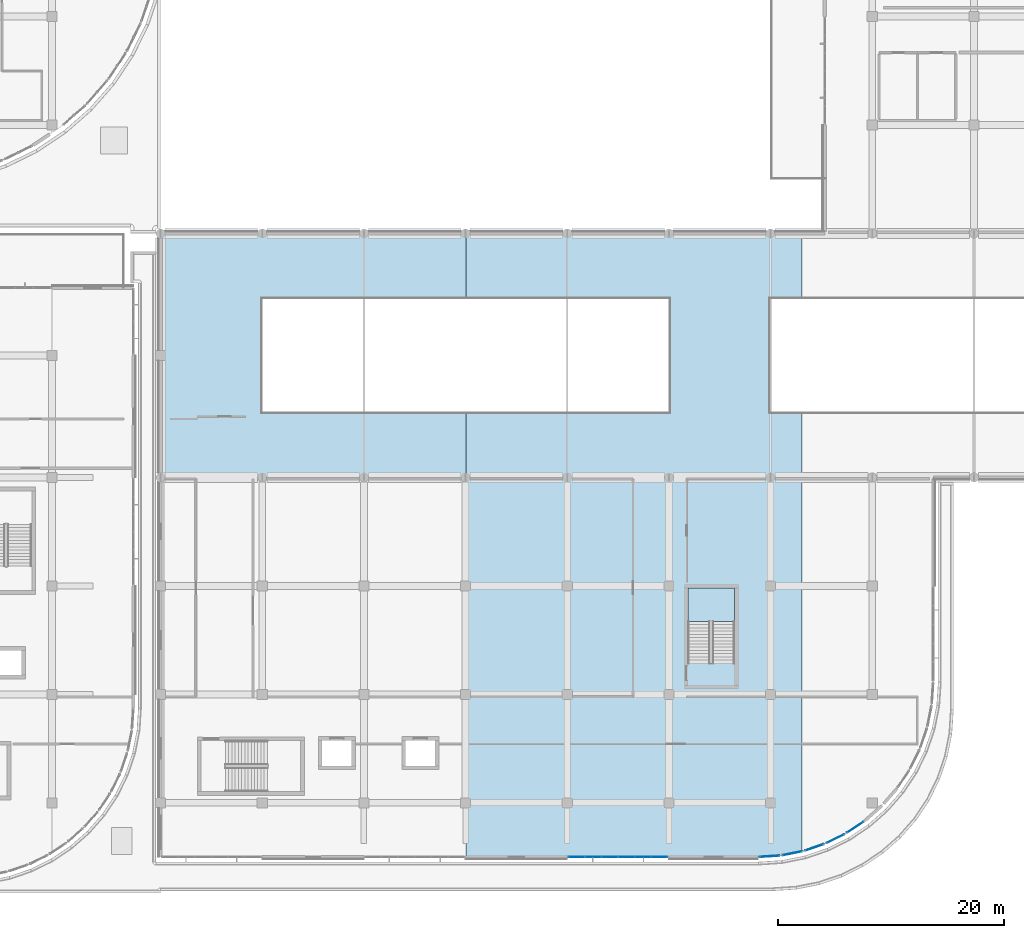
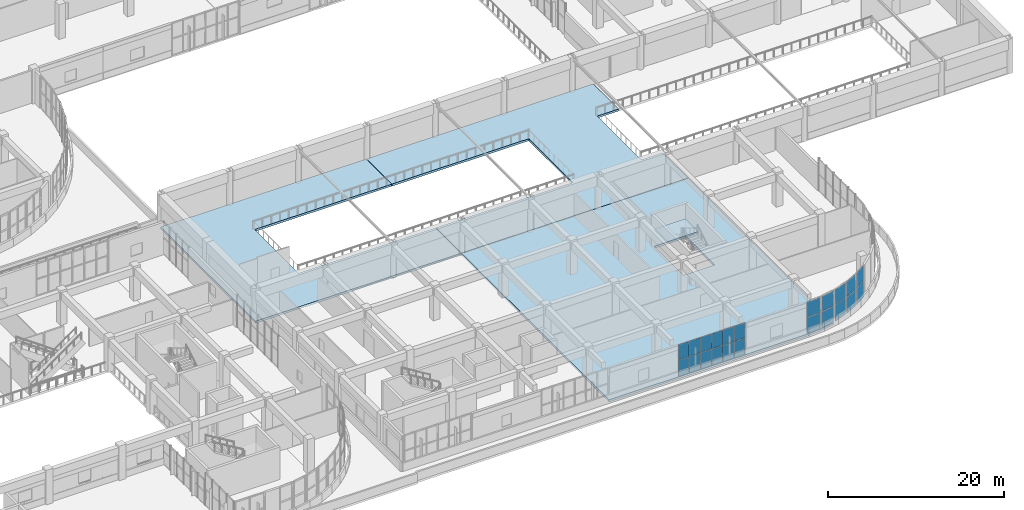
# One storey, part 49 of 96: 22 plates, 4 slabs, 7 elements without a shape of their own.
"""IFC4 building model written with IfcOpenShell, lengths in metres."""

from ifc_helpers import new_model, si_unit, direction, frame, origin, origin_2d, place, context, subcontext, project, spatial, polyline, rectangle, outline, extrude, material, layer, layer_set, type_object, element, aggregate, save


model = new_model("IFC4")

# Units and contexts
model_context = context("Model", 3, precision=1e-05, world=origin(), true_north=direction((0.0, 1.0)))
body_context = subcontext(model_context, "Body", "Model", "MODEL_VIEW")
ifc_project = project(units=[si_unit("LENGTHUNIT", "METRE"), si_unit("AREAUNIT", "SQUARE_METRE"), si_unit("VOLUMEUNIT", "CUBIC_METRE"), si_unit("PLANEANGLEUNIT", "RADIAN"), si_unit("MASSUNIT", "GRAM", prefix="KILO")], contexts=[model_context])

# Site, building, storey
site_placement = place(None, origin())
site = spatial("IfcSite", under=ifc_project, at=site_placement, CompositionType="ELEMENT")
building_placement = place(site_placement, origin())
building = spatial("IfcBuilding", under=site, at=building_placement, Name="Cendralis Terraced Arcade", CompositionType="ELEMENT")
storey_placement = place(building_placement, frame((0.0, 0.0, 10.199951171875)))
storey = spatial("IfcBuildingStorey", under=building, at=storey_placement, Name="L02", CompositionType="ELEMENT", Elevation=10.199951171875)

# Curtain wall, plates
ifc_material_1 = material(Name="Anodised aluminium EN AW-6063 T6", Category="aluminium")
ifc_layer_1 = layer(ifc_material_1, 0.1201171875, Name="CW-STORE-B")
ifc_layer_set_1 = layer_set([ifc_layer_1], Name="Anodised aluminium EN AW-6063 T6")
curtain_wall_type_1 = type_object("IfcCurtainWallType", Name="CW-STORE-B", PredefinedType="USERDEFINED", material=ifc_layer_set_1)
curtain_wall_1_placement = place(storey_placement, origin())
curtain_wall_1 = element("IfcCurtainWall", 1, at=curtain_wall_1_placement, inside=storey, type_object=curtain_wall_type_1, Name="Exterior Storefront Glazing CW-L02-0189", ObjectType="STOREFRONT GLAZING", PredefinedType="USERDEFINED")
ifc_material_2 = material(Name="Tempered solar control laminated glass", Category="glass")
ifc_layer_2 = layer(ifc_material_2, 0.02392578125, Name="CW-STORE-B-PNL")
ifc_layer_set_2 = layer_set([ifc_layer_2], Name="Tempered solar control laminated glass")
plate_type_1 = type_object("IfcPlateType", Name="CW-STORE-B-PNL", PredefinedType="CURTAIN_PANEL", material=ifc_layer_set_2)
plate_1_placement = place(storey_placement, frame((111.361328125, 4.800048828125, 0.05517578125), z_axis=(0.0, 0.0, 1.0), x_axis=(-1.0, 0.0, 0.0)))
plate_1 = element("IfcPlate", 2, at=plate_1_placement, type_object=plate_type_1, Name="CW-S2 panel 1.1", PredefinedType="CURTAIN_PANEL", context=body_context, shape_type="SweptSolid", body=[
    extrude(rectangle(XDim=1.387451171875, YDim=0.02392578125, at=origin_2d()), origin(), (0.0, 0.0, 1.0), 2.265380859375),
])
plate_2_placement = place(storey_placement, frame((111.361328125, 4.800048828125, 2.37548828125), z_axis=(0.0, 0.0, 1.0), x_axis=(-1.0, 0.0, 0.0)))
plate_2 = element("IfcPlate", 3, at=plate_2_placement, type_object=plate_type_1, Name="CW-S2 panel 1.2", PredefinedType="CURTAIN_PANEL", context=body_context, shape_type="SweptSolid", body=[
    extrude(rectangle(XDim=1.387451171875, YDim=0.02392578125, at=origin_2d()), origin(), (0.0, 0.0, 1.0), 2.084716796875),
])
plate_3_placement = place(storey_placement, frame((109.905029296875, 4.800048828125, 0.05517578125), z_axis=(0.0, 0.0, 1.0), x_axis=(-1.0, 0.0, 0.0)))
plate_3 = element("IfcPlate", 4, at=plate_3_placement, type_object=plate_type_1, Name="CW-S2 panel 2.1", PredefinedType="CURTAIN_PANEL", context=body_context, shape_type="SweptSolid", body=[
    extrude(rectangle(XDim=1.4150390625, YDim=0.02392578125, at=origin_2d()), origin(), (0.0, 0.0, 1.0), 2.265380859375),
])
plate_4_placement = place(storey_placement, frame((109.905029296875, 4.800048828125, 2.37548828125), z_axis=(0.0, 0.0, 1.0), x_axis=(-1.0, 0.0, 0.0)))
plate_4 = element("IfcPlate", 5, at=plate_4_placement, type_object=plate_type_1, Name="CW-S2 panel 2.2", PredefinedType="CURTAIN_PANEL", context=body_context, shape_type="SweptSolid", body=[
    extrude(rectangle(XDim=1.4150390625, YDim=0.02392578125, at=origin_2d()), origin(), (0.0, 0.0, 1.0), 2.084716796875),
])
plate_5_placement = place(storey_placement, frame((108.43505859375, 4.800048828125, 0.05517578125), z_axis=(0.0, 0.0, 1.0), x_axis=(-1.0, 0.0, 0.0)))
plate_5 = element("IfcPlate", 6, at=plate_5_placement, type_object=plate_type_1, Name="CW-S2 panel 3.1", PredefinedType="CURTAIN_PANEL", context=body_context, shape_type="SweptSolid", body=[
    extrude(rectangle(XDim=1.4150390625, YDim=0.02392578125, at=origin_2d()), origin(), (0.0, 0.0, 1.0), 2.265380859375),
])
plate_6_placement = place(storey_placement, frame((108.43505859375, 4.800048828125, 2.37548828125), z_axis=(0.0, 0.0, 1.0), x_axis=(-1.0, 0.0, 0.0)))
plate_6 = element("IfcPlate", 7, at=plate_6_placement, type_object=plate_type_1, Name="CW-S2 panel 3.2", PredefinedType="CURTAIN_PANEL", context=body_context, shape_type="SweptSolid", body=[
    extrude(rectangle(XDim=1.4150390625, YDim=0.02392578125, at=origin_2d()), origin(), (0.0, 0.0, 1.0), 2.084716796875),
])
plate_7_placement = place(storey_placement, frame((106.965087890625, 4.800048828125, 0.05517578125), z_axis=(0.0, 0.0, 1.0), x_axis=(-1.0, 0.0, 0.0)))
plate_7 = element("IfcPlate", 8, at=plate_7_placement, type_object=plate_type_1, Name="CW-S2 panel 4.1", PredefinedType="CURTAIN_PANEL", context=body_context, shape_type="SweptSolid", body=[
    extrude(rectangle(XDim=1.4150390625, YDim=0.02392578125, at=origin_2d()), origin(), (0.0, 0.0, 1.0), 2.265380859375),
])
plate_8_placement = place(storey_placement, frame((106.965087890625, 4.800048828125, 2.37548828125), z_axis=(0.0, 0.0, 1.0), x_axis=(-1.0, 0.0, 0.0)))
plate_8 = element("IfcPlate", 9, at=plate_8_placement, type_object=plate_type_1, Name="CW-S2 panel 4.2", PredefinedType="CURTAIN_PANEL", context=body_context, shape_type="SweptSolid", body=[
    extrude(rectangle(XDim=1.4150390625, YDim=0.02392578125, at=origin_2d()), origin(), (0.0, 0.0, 1.0), 2.084716796875),
])
plate_9_placement = place(storey_placement, frame((105.4951171875, 4.800048828125, 0.05517578125), z_axis=(0.0, 0.0, 1.0), x_axis=(-1.0, 0.0, 0.0)))
plate_9 = element("IfcPlate", 10, at=plate_9_placement, type_object=plate_type_1, Name="CW-S2 panel 5.1", PredefinedType="CURTAIN_PANEL", context=body_context, shape_type="SweptSolid", body=[
    extrude(rectangle(XDim=1.4150390625, YDim=0.02392578125, at=origin_2d()), origin(), (0.0, 0.0, 1.0), 2.265380859375),
])
plate_10_placement = place(storey_placement, frame((105.4951171875, 4.800048828125, 2.37548828125), z_axis=(0.0, 0.0, 1.0), x_axis=(-1.0, 0.0, 0.0)))
plate_10 = element("IfcPlate", 11, at=plate_10_placement, type_object=plate_type_1, Name="CW-S2 panel 5.2", PredefinedType="CURTAIN_PANEL", context=body_context, shape_type="SweptSolid", body=[
    extrude(rectangle(XDim=1.4150390625, YDim=0.02392578125, at=origin_2d()), origin(), (0.0, 0.0, 1.0), 2.084716796875),
])
plate_11_placement = place(storey_placement, frame((104.038818359375, 4.800048828125, 0.05517578125), z_axis=(0.0, 0.0, 1.0), x_axis=(-1.0, 0.0, 0.0)))
plate_11 = element("IfcPlate", 12, at=plate_11_placement, type_object=plate_type_1, Name="CW-S2 panel 6.1", PredefinedType="CURTAIN_PANEL", context=body_context, shape_type="SweptSolid", body=[
    extrude(rectangle(XDim=1.387451171875, YDim=0.02392578125, at=origin_2d()), origin(), (0.0, 0.0, 1.0), 2.265380859375),
])
plate_12_placement = place(storey_placement, frame((104.038818359375, 4.800048828125, 2.37548828125), z_axis=(0.0, 0.0, 1.0), x_axis=(-1.0, 0.0, 0.0)))
plate_12 = element("IfcPlate", 13, at=plate_12_placement, type_object=plate_type_1, Name="CW-S2 panel 6.2", PredefinedType="CURTAIN_PANEL", context=body_context, shape_type="SweptSolid", body=[
    extrude(rectangle(XDim=1.387451171875, YDim=0.02392578125, at=origin_2d()), origin(), (0.0, 0.0, 1.0), 2.084716796875),
])
aggregate(curtain_wall_1, [plate_1, plate_2, plate_3, plate_4, plate_5, plate_6, plate_7, plate_8, plate_9, plate_10, plate_11, plate_12])

ifc_layer_3 = layer(ifc_material_1, 0.179931640625, Name="CW-UNIT-A")
ifc_layer_set_3 = layer_set([ifc_layer_3], Name="Anodised aluminium EN AW-6063 T6")
curtain_wall_type_2 = type_object("IfcCurtainWallType", Name="CW-UNIT-A", PredefinedType="USERDEFINED", material=ifc_layer_set_3)
curtain_wall_2_placement = place(storey_placement, origin())
curtain_wall_2 = element("IfcCurtainWall", 14, at=curtain_wall_2_placement, inside=storey, type_object=curtain_wall_type_2, Name="Exterior Unitised Facade CW-L02-0184", ObjectType="UNITISED FACADE", PredefinedType="USERDEFINED")
ifc_layer_4 = layer(ifc_material_2, 0.035888671875, Name="CW-UNIT-A-PNL")
ifc_layer_set_4 = layer_set([ifc_layer_4], Name="Tempered solar control laminated glass")
plate_type_2 = type_object("IfcPlateType", Name="CW-UNIT-A-PNL", PredefinedType="CURTAIN_PANEL", material=ifc_layer_set_4)
plate_13_placement = place(storey_placement, frame((128.69287109375, 7.439697265625, 0.06494140625), z_axis=(0.0, 0.0, 1.0), x_axis=(-0.831483619587, -0.555549269065, 0.0)))
plate_13 = element("IfcPlate", 15, at=plate_13_placement, type_object=plate_type_2, Name="CW-U1 panel 1.1", PredefinedType="CURTAIN_PANEL", context=body_context, shape_type="SweptSolid", body=[
    extrude(rectangle(XDim=1.717529296875, YDim=0.035888671875, at=origin_2d()), origin(), (0.0, 0.0, 1.0), 2.250244140625),
])
plate_14_placement = place(storey_placement, frame((128.69287109375, 7.439697265625, 2.38037109375), z_axis=(0.0, 0.0, 1.0), x_axis=(-0.831483619587, -0.555549269065, 0.0)))
plate_14 = element("IfcPlate", 16, at=plate_14_placement, type_object=plate_type_2, Name="CW-U1 panel 1.2", PredefinedType="CURTAIN_PANEL", context=body_context, shape_type="SweptSolid", body=[
    extrude(rectangle(XDim=1.717529296875, YDim=0.035888671875, at=origin_2d()), origin(), (0.0, 0.0, 1.0), 2.069580078125),
])
aggregate(curtain_wall_2, [plate_13, plate_14])

curtain_wall_3_placement = place(storey_placement, origin())
curtain_wall_3 = element("IfcCurtainWall", 17, at=curtain_wall_3_placement, inside=storey, type_object=curtain_wall_type_2, Name="Exterior Unitised Facade CW-L02-0185", ObjectType="UNITISED FACADE", PredefinedType="USERDEFINED")
plate_15_placement = place(storey_placement, frame((126.94091796875, 6.42822265625, 0.06494140625), z_axis=(0.0, 0.0, 1.0), x_axis=(-0.896881752867, -0.442270416572, 0.0)))
plate_15 = element("IfcPlate", 18, at=plate_15_placement, type_object=plate_type_2, Name="CW-U1 panel 1.1", PredefinedType="CURTAIN_PANEL", context=body_context, shape_type="SweptSolid", body=[
    extrude(rectangle(XDim=1.717529296875, YDim=0.035888671875, at=origin_2d()), origin(), (0.0, 0.0, 1.0), 2.250244140625),
])
plate_16_placement = place(storey_placement, frame((126.94091796875, 6.42822265625, 2.38037109375), z_axis=(0.0, 0.0, 1.0), x_axis=(-0.896881752867, -0.442270416572, 0.0)))
plate_16 = element("IfcPlate", 19, at=plate_16_placement, type_object=plate_type_2, Name="CW-U1 panel 1.2", PredefinedType="CURTAIN_PANEL", context=body_context, shape_type="SweptSolid", body=[
    extrude(rectangle(XDim=1.717529296875, YDim=0.035888671875, at=origin_2d()), origin(), (0.0, 0.0, 1.0), 2.069580078125),
])
aggregate(curtain_wall_3, [plate_15, plate_16])

curtain_wall_4_placement = place(storey_placement, origin())
curtain_wall_4 = element("IfcCurtainWall", 20, at=curtain_wall_4_placement, inside=storey, type_object=curtain_wall_type_2, Name="Exterior Unitised Facade CW-L02-0186", ObjectType="UNITISED FACADE", PredefinedType="USERDEFINED")
plate_17_placement = place(storey_placement, frame((125.071533203125, 5.654052734375, 0.06494140625), z_axis=(0.0, 0.0, 1.0), x_axis=(-0.946909571674, -0.32150002033, 0.0)))
plate_17 = element("IfcPlate", 21, at=plate_17_placement, type_object=plate_type_2, Name="CW-U1 panel 1.1", PredefinedType="CURTAIN_PANEL", context=body_context, shape_type="SweptSolid", body=[
    extrude(rectangle(XDim=1.717529296875, YDim=0.035888671875, at=origin_2d()), origin(), (0.0, 0.0, 1.0), 2.250244140625),
])
plate_18_placement = place(storey_placement, frame((125.071533203125, 5.654052734375, 2.38037109375), z_axis=(0.0, 0.0, 1.0), x_axis=(-0.946909571674, -0.32150002033, 0.0)))
plate_18 = element("IfcPlate", 22, at=plate_18_placement, type_object=plate_type_2, Name="CW-U1 panel 1.2", PredefinedType="CURTAIN_PANEL", context=body_context, shape_type="SweptSolid", body=[
    extrude(rectangle(XDim=1.717529296875, YDim=0.035888671875, at=origin_2d()), origin(), (0.0, 0.0, 1.0), 2.069580078125),
])
aggregate(curtain_wall_4, [plate_17, plate_18])

curtain_wall_5_placement = place(storey_placement, origin())
curtain_wall_5 = element("IfcCurtainWall", 23, at=curtain_wall_5_placement, inside=storey, type_object=curtain_wall_type_2, Name="Exterior Unitised Facade CW-L02-0187", ObjectType="UNITISED FACADE", PredefinedType="USERDEFINED")
plate_19_placement = place(storey_placement, frame((123.117431640625, 5.13037109375, 0.06494140625), z_axis=(0.0, 0.0, 1.0), x_axis=(-0.980796601395, -0.195033398913, 0.0)))
plate_19 = element("IfcPlate", 24, at=plate_19_placement, type_object=plate_type_2, Name="CW-U1 panel 1.1", PredefinedType="CURTAIN_PANEL", context=body_context, shape_type="SweptSolid", body=[
    extrude(rectangle(XDim=1.71728515625, YDim=0.035888671875, at=origin_2d()), origin(), (0.0, 0.0, 1.0), 2.250244140625),
])
plate_20_placement = place(storey_placement, frame((123.117431640625, 5.13037109375, 2.38037109375), z_axis=(0.0, 0.0, 1.0), x_axis=(-0.980796601395, -0.195033398913, 0.0)))
plate_20 = element("IfcPlate", 25, at=plate_20_placement, type_object=plate_type_2, Name="CW-U1 panel 1.2", PredefinedType="CURTAIN_PANEL", context=body_context, shape_type="SweptSolid", body=[
    extrude(rectangle(XDim=1.71728515625, YDim=0.035888671875, at=origin_2d()), origin(), (0.0, 0.0, 1.0), 2.069580078125),
])
aggregate(curtain_wall_5, [plate_19, plate_20])

curtain_wall_6_placement = place(storey_placement, origin())
curtain_wall_6 = element("IfcCurtainWall", 26, at=curtain_wall_6_placement, inside=storey, type_object=curtain_wall_type_2, Name="Exterior Unitised Facade CW-L02-0188", ObjectType="UNITISED FACADE", PredefinedType="USERDEFINED")
plate_21_placement = place(storey_placement, frame((121.111572265625, 4.8662109375, 0.06494140625), z_axis=(0.0, 0.0, 1.0), x_axis=(-0.997860192175, -0.065383766124, 0.0)))
plate_21 = element("IfcPlate", 27, at=plate_21_placement, type_object=plate_type_2, Name="CW-U1 panel 1.1", PredefinedType="CURTAIN_PANEL", context=body_context, shape_type="SweptSolid", body=[
    extrude(rectangle(XDim=1.717529296875, YDim=0.035888671875, at=origin_2d()), origin(), (0.0, 0.0, 1.0), 2.250244140625),
])
plate_22_placement = place(storey_placement, frame((121.111572265625, 4.8662109375, 2.38037109375), z_axis=(0.0, 0.0, 1.0), x_axis=(-0.997860192175, -0.065383766124, 0.0)))
plate_22 = element("IfcPlate", 28, at=plate_22_placement, type_object=plate_type_2, Name="CW-U1 panel 1.2", PredefinedType="CURTAIN_PANEL", context=body_context, shape_type="SweptSolid", body=[
    extrude(rectangle(XDim=1.717529296875, YDim=0.035888671875, at=origin_2d()), origin(), (0.0, 0.0, 1.0), 2.069580078125),
])
aggregate(curtain_wall_6, [plate_21, plate_22])

# Slabs
ifc_material_3 = material(Name="Concrete f'c 35 MPa", Category="concrete")
ifc_layer_5 = layer(ifc_material_3, 0.294921875, Name="SLB-L02-295")
ifc_layer_set_5 = layer_set([ifc_layer_5], Name="Concrete f'c 35 MPa")
slab_type_1 = type_object("IfcSlabType", Name="SLB-L02-295", PredefinedType="FLOOR", material=ifc_layer_set_5)
slab_1_placement = place(storey_placement, frame((0.0, 0.0, -0.294921875)))
element("IfcSlab", 29, at=slab_1_placement, inside=storey, type_object=slab_type_1, Name="Reinforced Concrete Floor Slab SLB-L02-V2-C1-1", PredefinedType="FLOOR", context=body_context, shape_type="SweptSolid", body=[
    extrude(outline(polyline([(94.199951171875, 54.199951171875), (76.199951171875, 54.199951171875), (76.199951171875, 44.199951171875), (94.199951171875, 44.199951171875), (94.199951171875, 38.39990234375), (67.199951171875, 38.39990234375), (67.199951171875, 60.0), (94.199951171875, 60.0), (94.199951171875, 54.199951171875)])), origin(), (0.0, 0.0, 1.0), 0.294921875),
])
slab_2_placement = place(storey_placement, frame((0.0, 0.0, -0.294921875)))
element("IfcSlab", 30, at=slab_2_placement, inside=storey, type_object=slab_type_1, Name="Reinforced Concrete Floor Slab SLB-L02-V2-C2-1", PredefinedType="FLOOR", context=body_context, shape_type="SweptSolid", body=[
    extrude(outline(polyline([(121.199951171875, 54.199951171875), (121.199951171875, 44.199951171875), (124.0, 44.199951171875), (124.0, 38.39990234375), (94.219970703125, 38.39990234375), (94.219970703125, 44.199951171875), (112.199951171875, 44.199951171875), (112.199951171875, 54.199951171875), (94.219970703125, 54.199951171875), (94.219970703125, 60.0), (124.0, 60.0), (124.0, 54.199951171875), (121.199951171875, 54.199951171875)])), origin(), (0.0, 0.0, 1.0), 0.294921875),
])
slab_3_placement = place(storey_placement, frame((0.0, 0.0, -0.294921875)))
element("IfcSlab", 31, at=slab_3_placement, inside=storey, type_object=slab_type_1, Name="Reinforced Concrete Floor Slab SLB-L02-V4-C2-1", PredefinedType="FLOOR", context=body_context, shape_type="SweptSolid", body=[
    extrude(outline(polyline([(122.123291015625, 4.9326171875), (120.10009765625, 4.800048828125), (94.219970703125, 4.800048828125), (94.219970703125, 38.3798828125), (124.0, 38.3798828125), (124.0, 5.305908203125), (122.123291015625, 4.9326171875)]), holes=[polyline([(118.0, 28.60009765625), (113.89990234375, 28.60009765625), (113.89990234375, 21.97998046875), (118.0, 21.97998046875), (118.0, 28.60009765625)])]), origin(), (0.0, 0.0, 1.0), 0.294921875),
])

# Stair, slab
stair_type = type_object("IfcStairType", Name="STR-W195-H480", PredefinedType="HALF_TURN_STAIR", material=ifc_material_3)
stair_placement = place(storey_placement, origin())
stair = element("IfcStair", 32, at=stair_placement, inside=storey, type_object=stair_type, Name="L02 Protected Exit Stair ST-09", PredefinedType="HALF_TURN_STAIR")
ifc_layer_6 = layer(ifc_material_3, 0.199951171875, Name="SLB-STAIR-LND-200")
ifc_layer_set_6 = layer_set([ifc_layer_6], Name="Concrete f'c 35 MPa")
slab_type_2 = type_object("IfcSlabType", Name="SLB-STAIR-LND-200", PredefinedType="LANDING", material=ifc_layer_set_6)
slab_4_placement = place(storey_placement, frame((0.0, 0.0, 2.199951171875)))
slab_4 = element("IfcSlab", 33, at=slab_4_placement, type_object=slab_type_2, Name="ST-09 landing 1", PredefinedType="LANDING", context=body_context, shape_type="SweptSolid", body=[
    extrude(outline(polyline([(118.0, 25.655029296875), (118.0, 28.60009765625), (113.89990234375, 28.60009765625), (113.89990234375, 25.655029296875), (118.0, 25.655029296875)])), origin(), (0.0, 0.0, 1.0), 0.2001953125),
])
aggregate(stair, [slab_4])

save(model, "model.ifc")
